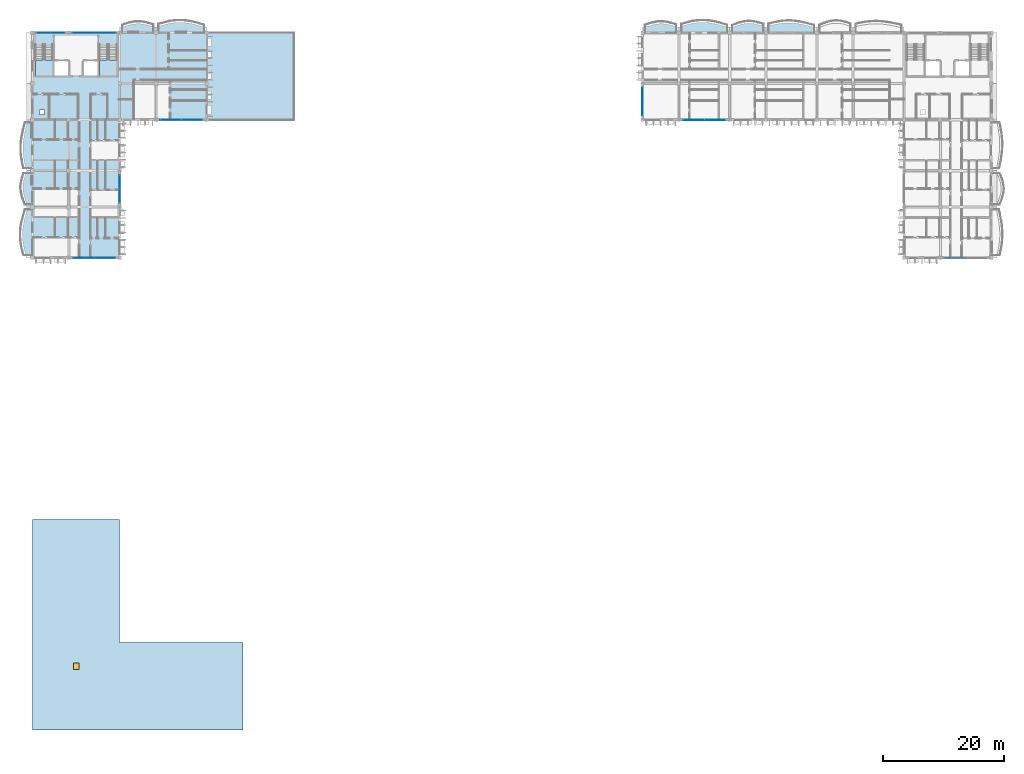
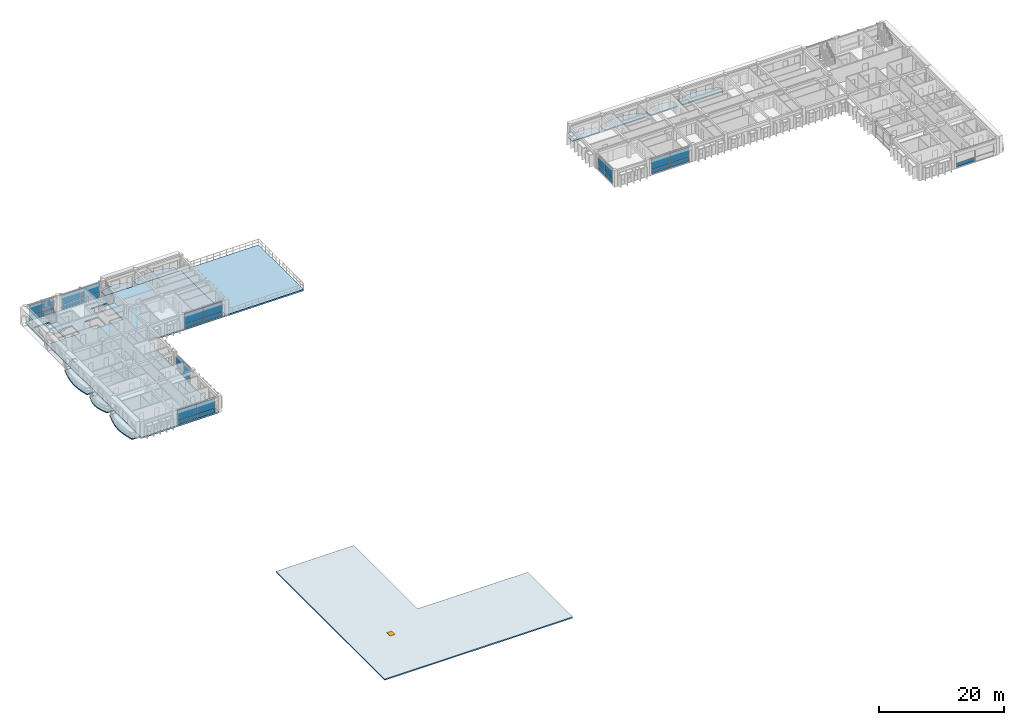
# One storey, part 8 of 31: 29 plates, 14 slabs, 1 door, 1 opening, 10 elements without a shape of their own.
"""IFC4 building model written with IfcOpenShell, lengths in metres."""

from ifc_helpers import new_model, si_unit, direction, frame, origin, origin_2d, place, context, subcontext, project, spatial, polyline, rectangle, outline, extrude, material, layer, layer_set, type_object, element, fill, aggregate, save


model = new_model("IFC4")

# Units and contexts
model_context = context("Model", 3, precision=1e-05, world=origin(), true_north=direction((0.0, 1.0)))
body_context = subcontext(model_context, "Body", "Model", "MODEL_VIEW")
ifc_project = project(units=[si_unit("LENGTHUNIT", "METRE"), si_unit("AREAUNIT", "SQUARE_METRE"), si_unit("VOLUMEUNIT", "CUBIC_METRE"), si_unit("PLANEANGLEUNIT", "RADIAN"), si_unit("MASSUNIT", "GRAM", prefix="KILO"), si_unit("THERMODYNAMICTEMPERATUREUNIT", "KELVIN")], contexts=[model_context])

# Site, building, storey
site_placement = place(None, origin())
site = spatial("IfcSite", under=ifc_project, at=site_placement, CompositionType="ELEMENT")
building_placement = place(site_placement, origin())
building = spatial("IfcBuilding", under=site, at=building_placement, Name="Thalorik Housing Commons", CompositionType="ELEMENT")
storey_placement = place(building_placement, frame((0.0, 0.0, 37.800048828125)))
storey = spatial("IfcBuildingStorey", under=building, at=storey_placement, Name="L11", CompositionType="ELEMENT", Elevation=37.800048828125)

# Curtain wall, plates
ifc_material_1 = material(Name="Anodised aluminium and solar-control low-E glass", Category="aluminium")
curtain_wall_type_1 = type_object("IfcCurtainWallType", Name="ARC-CW-LOUNGE", PredefinedType="USERDEFINED", material=ifc_material_1)
curtain_wall_1_placement = place(storey_placement, origin())
curtain_wall_1 = element("IfcCurtainWall", 1, at=curtain_wall_1_placement, inside=storey, type_object=curtain_wall_type_1, Name="L11 Curtain Wall CW-RES-L11-A-047", ObjectType="CURTAIN WALL", PredefinedType="USERDEFINED")
ifc_material_2 = material(Name="Cobalt blue enamelled aluminium spandrel panel", Category="aluminium")
ifc_layer_1 = layer(ifc_material_2, 0.0458984375, Name="Cobalt blue enamelled aluminium spandrel panel", Category="aluminium")
ifc_layer_set_1 = layer_set([ifc_layer_1], Name="Cobalt blue enamelled aluminium spandrel panel")
plate_type_1 = type_object("IfcPlateType", Name="ARC-CP-BLU-46", PredefinedType="CURTAIN_PANEL", material=ifc_layer_set_1)
plate_1_placement = place(storey_placement, frame((31.25, 109.199951171875, 0.080078125), z_axis=(0.0, 0.0, 1.0), x_axis=(1.0, 0.0, 0.0)))
plate_1 = element("IfcPlate", 2, at=plate_1_placement, type_object=plate_type_1, Name="CW-RES-L11-A-047 Spandrel Panel 1", PredefinedType="CURTAIN_PANEL", context=body_context, shape_type="SweptSolid", body=[
    extrude(rectangle(XDim=3.43994140625, YDim=0.0458984375, at=origin_2d()), origin(), (0.0, 0.0, 1.0), 0.760009765625),
])
plate_2_placement = place(storey_placement, frame((34.75, 109.199951171875, 0.080078125), z_axis=(0.0, 0.0, 1.0), x_axis=(1.0, 0.0, 0.0)))
plate_2 = element("IfcPlate", 3, at=plate_2_placement, type_object=plate_type_1, Name="CW-RES-L11-A-047 Spandrel Panel 2", PredefinedType="CURTAIN_PANEL", context=body_context, shape_type="SweptSolid", body=[
    extrude(rectangle(XDim=3.43994140625, YDim=0.0458984375, at=origin_2d()), origin(), (0.0, 0.0, 1.0), 0.760009765625),
])

curtain_wall_type_2 = type_object("IfcCurtainWallType", Name="ARC-CW-CORE", PredefinedType="USERDEFINED", material=ifc_material_1)
curtain_wall_2_placement = place(storey_placement, origin())
curtain_wall_2 = element("IfcCurtainWall", 4, at=curtain_wall_2_placement, inside=storey, type_object=curtain_wall_type_2, Name="L11 Curtain Wall CW-CORE-L11-A-049", ObjectType="CURTAIN WALL", PredefinedType="USERDEFINED")
plate_3_placement = place(storey_placement, frame((12.574951171875, 123.60009765625, 0.080078125), z_axis=(0.0, 0.0, 1.0), x_axis=(-1.0, 0.0, 0.0)))
plate_3 = element("IfcPlate", 5, at=plate_3_placement, type_object=plate_type_1, Name="CW-CORE-L11-A-049 Spandrel Panel 1", PredefinedType="CURTAIN_PANEL", context=body_context, shape_type="SweptSolid", body=[
    extrude(rectangle(XDim=2.2900390625, YDim=0.0458984375, at=origin_2d()), origin(), (0.0, 0.0, 1.0), 0.760009765625),
])
plate_4_placement = place(storey_placement, frame((10.22509765625, 123.60009765625, 0.080078125), z_axis=(0.0, 0.0, 1.0), x_axis=(-1.0, 0.0, 0.0)))
plate_4 = element("IfcPlate", 6, at=plate_4_placement, type_object=plate_type_1, Name="CW-CORE-L11-A-049 Spandrel Panel 2", PredefinedType="CURTAIN_PANEL", context=body_context, shape_type="SweptSolid", body=[
    extrude(rectangle(XDim=2.2900390625, YDim=0.0458984375, at=origin_2d()), origin(), (0.0, 0.0, 1.0), 0.760009765625),
])

curtain_wall_3_placement = place(storey_placement, origin())
curtain_wall_3 = element("IfcCurtainWall", 7, at=curtain_wall_3_placement, inside=storey, type_object=curtain_wall_type_1, Name="L11 Curtain Wall CW-RES-L11-A-052", ObjectType="CURTAIN WALL", PredefinedType="USERDEFINED")
plate_5_placement = place(storey_placement, frame((22.800048828125, 96.64990234375, 0.080078125), z_axis=(0.0, 0.0, 1.0), x_axis=(0.0, 1.0, 0.0)))
plate_5 = element("IfcPlate", 8, at=plate_5_placement, type_object=plate_type_1, Name="CW-RES-L11-A-052 Spandrel Panel 1", PredefinedType="CURTAIN_PANEL", context=body_context, shape_type="SweptSolid", body=[
    extrude(rectangle(XDim=2.239990234375, YDim=0.0458984375, at=origin_2d()), origin(), (0.0, 0.0, 1.0), 0.760009765625),
])
plate_6_placement = place(storey_placement, frame((22.800048828125, 98.949951171875, 0.080078125), z_axis=(0.0, 0.0, 1.0), x_axis=(0.0, 1.0, 0.0)))
plate_6 = element("IfcPlate", 9, at=plate_6_placement, type_object=plate_type_1, Name="CW-RES-L11-A-052 Spandrel Panel 2", PredefinedType="CURTAIN_PANEL", context=body_context, shape_type="SweptSolid", body=[
    extrude(rectangle(XDim=2.239990234375, YDim=0.0458984375, at=origin_2d()), origin(), (0.0, 0.0, 1.0), 0.760009765625),
])

# Plate
ifc_material_3 = material(Name="Double solar-control low-E glass", Category="glass")
ifc_layer_2 = layer(ifc_material_3, 0.028076171875, Name="Double solar-control low-E glass", Category="glass")
ifc_layer_set_2 = layer_set([ifc_layer_2], Name="Double solar-control low-E glass")
plate_type_2 = type_object("IfcPlateType", Name="ARC-CP-GLZ-28", PredefinedType="CURTAIN_PANEL", material=ifc_layer_set_2)
plate_7_placement = place(storey_placement, frame((31.25, 109.199951171875, 0.919921875), z_axis=(0.0, 0.0, 1.0), x_axis=(1.0, 0.0, 0.0)))
plate_7 = element("IfcPlate", 10, at=plate_7_placement, type_object=plate_type_2, Name="CW-RES-L11-A-047 Vision Panel 1", PredefinedType="CURTAIN_PANEL", context=body_context, shape_type="SweptSolid", body=[
    extrude(rectangle(XDim=3.43994140625, YDim=0.028076171875, at=origin_2d()), origin(), (0.0, 0.0, 1.0), 2.0400390625),
])

plate_8_placement = place(storey_placement, frame((34.75, 109.199951171875, 0.919921875), z_axis=(0.0, 0.0, 1.0), x_axis=(1.0, 0.0, 0.0)))
plate_8 = element("IfcPlate", 11, at=plate_8_placement, type_object=plate_type_2, Name="CW-RES-L11-A-047 Vision Panel 2", PredefinedType="CURTAIN_PANEL", context=body_context, shape_type="SweptSolid", body=[
    extrude(rectangle(XDim=3.43994140625, YDim=0.028076171875, at=origin_2d()), origin(), (0.0, 0.0, 1.0), 2.0400390625),
])

aggregate(curtain_wall_1, [plate_1, plate_7, plate_2, plate_8])

# Curtain wall, plates
curtain_wall_4_placement = place(storey_placement, origin())
curtain_wall_4 = element("IfcCurtainWall", 12, at=curtain_wall_4_placement, inside=storey, type_object=curtain_wall_type_2, Name="L11 Curtain Wall CW-CORE-L11-A-048", ObjectType="CURTAIN WALL", PredefinedType="USERDEFINED")
plate_9_placement = place(storey_placement, frame((20.375, 123.60009765625, 0.919921875), z_axis=(0.0, 0.0, 1.0), x_axis=(-1.0, 0.0, 0.0)))
plate_9 = element("IfcPlate", 13, at=plate_9_placement, type_object=plate_type_2, Name="CW-CORE-L11-A-048 Vision Panel 1", PredefinedType="CURTAIN_PANEL", context=body_context, shape_type="SweptSolid", body=[
    extrude(rectangle(XDim=3.489990234375, YDim=0.028076171875, at=origin_2d()), origin(), (0.0, 0.0, 1.0), 2.0400390625),
])
plate_10_placement = place(storey_placement, frame((16.824951171875, 123.60009765625, 0.919921875), z_axis=(0.0, 0.0, 1.0), x_axis=(-1.0, 0.0, 0.0)))
plate_10 = element("IfcPlate", 14, at=plate_10_placement, type_object=plate_type_2, Name="CW-CORE-L11-A-048 Vision Panel 2", PredefinedType="CURTAIN_PANEL", context=body_context, shape_type="SweptSolid", body=[
    extrude(rectangle(XDim=3.489990234375, YDim=0.028076171875, at=origin_2d()), origin(), (0.0, 0.0, 1.0), 2.0400390625),
])

# Plate
plate_11_placement = place(storey_placement, frame((12.574951171875, 123.60009765625, 0.919921875), z_axis=(0.0, 0.0, 1.0), x_axis=(-1.0, 0.0, 0.0)))
plate_11 = element("IfcPlate", 15, at=plate_11_placement, type_object=plate_type_2, Name="CW-CORE-L11-A-049 Vision Panel 1", PredefinedType="CURTAIN_PANEL", context=body_context, shape_type="SweptSolid", body=[
    extrude(rectangle(XDim=2.2900390625, YDim=0.028076171875, at=origin_2d()), origin(), (0.0, 0.0, 1.0), 2.0400390625),
])

plate_12_placement = place(storey_placement, frame((10.22509765625, 123.60009765625, 0.919921875), z_axis=(0.0, 0.0, 1.0), x_axis=(-1.0, 0.0, 0.0)))
plate_12 = element("IfcPlate", 16, at=plate_12_placement, type_object=plate_type_2, Name="CW-CORE-L11-A-049 Vision Panel 2", PredefinedType="CURTAIN_PANEL", context=body_context, shape_type="SweptSolid", body=[
    extrude(rectangle(XDim=2.2900390625, YDim=0.028076171875, at=origin_2d()), origin(), (0.0, 0.0, 1.0), 2.0400390625),
])

aggregate(curtain_wall_2, [plate_3, plate_11, plate_4, plate_12])

# Curtain wall, plates
curtain_wall_5_placement = place(storey_placement, origin())
curtain_wall_5 = element("IfcCurtainWall", 17, at=curtain_wall_5_placement, inside=storey, type_object=curtain_wall_type_1, Name="L11 Curtain Wall CW-RES-L11-A-051", ObjectType="CURTAIN WALL", PredefinedType="USERDEFINED")
plate_13_placement = place(storey_placement, frame((16.85009765625, 86.39990234375, 0.919921875), z_axis=(0.0, 0.0, 1.0), x_axis=(1.0, 0.0, 0.0)))
plate_13 = element("IfcPlate", 18, at=plate_13_placement, type_object=plate_type_2, Name="CW-RES-L11-A-051 Vision Panel 1", PredefinedType="CURTAIN_PANEL", context=body_context, shape_type="SweptSolid", body=[
    extrude(rectangle(XDim=3.43994140625, YDim=0.028076171875, at=origin_2d()), origin(), (0.0, 0.0, 1.0), 2.0400390625),
])
plate_14_placement = place(storey_placement, frame((20.35009765625, 86.39990234375, 0.919921875), z_axis=(0.0, 0.0, 1.0), x_axis=(1.0, 0.0, 0.0)))
plate_14 = element("IfcPlate", 19, at=plate_14_placement, type_object=plate_type_2, Name="CW-RES-L11-A-051 Vision Panel 2", PredefinedType="CURTAIN_PANEL", context=body_context, shape_type="SweptSolid", body=[
    extrude(rectangle(XDim=3.43994140625, YDim=0.028076171875, at=origin_2d()), origin(), (0.0, 0.0, 1.0), 2.0400390625),
])

# Plate
plate_15_placement = place(storey_placement, frame((22.800048828125, 96.64990234375, 0.919921875), z_axis=(0.0, 0.0, 1.0), x_axis=(0.0, 1.0, 0.0)))
plate_15 = element("IfcPlate", 20, at=plate_15_placement, type_object=plate_type_2, Name="CW-RES-L11-A-052 Vision Panel 1", PredefinedType="CURTAIN_PANEL", context=body_context, shape_type="SweptSolid", body=[
    extrude(rectangle(XDim=2.239990234375, YDim=0.028076171875, at=origin_2d()), origin(), (0.0, 0.0, 1.0), 2.0400390625),
])

plate_16_placement = place(storey_placement, frame((22.800048828125, 98.949951171875, 0.919921875), z_axis=(0.0, 0.0, 1.0), x_axis=(0.0, 1.0, 0.0)))
plate_16 = element("IfcPlate", 21, at=plate_16_placement, type_object=plate_type_2, Name="CW-RES-L11-A-052 Vision Panel 2", PredefinedType="CURTAIN_PANEL", context=body_context, shape_type="SweptSolid", body=[
    extrude(rectangle(XDim=2.239990234375, YDim=0.028076171875, at=origin_2d()), origin(), (0.0, 0.0, 1.0), 2.0400390625),
])

aggregate(curtain_wall_3, [plate_5, plate_15, plate_6, plate_16])

# Curtain wall, plates
curtain_wall_6_placement = place(storey_placement, origin())
curtain_wall_6 = element("IfcCurtainWall", 22, at=curtain_wall_6_placement, inside=storey, type_object=curtain_wall_type_1, Name="L11 Curtain Wall CW-RES-L11-B-120", ObjectType="CURTAIN WALL", PredefinedType="USERDEFINED")
plate_17_placement = place(storey_placement, frame((109.199951171875, 113.35009765625, 0.919921875), z_axis=(0.0, 0.0, 1.0), x_axis=(0.0, -1.0, 0.0)))
plate_17 = element("IfcPlate", 23, at=plate_17_placement, type_object=plate_type_2, Name="CW-RES-L11-B-120 Vision Panel 1", PredefinedType="CURTAIN_PANEL", context=body_context, shape_type="SweptSolid", body=[
    extrude(rectangle(XDim=2.239990234375, YDim=0.028076171875, at=origin_2d()), origin(), (0.0, 0.0, 1.0), 2.0400390625),
])
plate_18_placement = place(storey_placement, frame((109.199951171875, 111.050048828125, 0.919921875), z_axis=(0.0, 0.0, 1.0), x_axis=(0.0, -1.0, 0.0)))
plate_18 = element("IfcPlate", 24, at=plate_18_placement, type_object=plate_type_2, Name="CW-RES-L11-B-120 Vision Panel 2", PredefinedType="CURTAIN_PANEL", context=body_context, shape_type="SweptSolid", body=[
    extrude(rectangle(XDim=2.239990234375, YDim=0.028076171875, at=origin_2d()), origin(), (0.0, 0.0, 1.0), 2.0400390625),
])

curtain_wall_7_placement = place(storey_placement, origin())
curtain_wall_7 = element("IfcCurtainWall", 25, at=curtain_wall_7_placement, inside=storey, type_object=curtain_wall_type_1, Name="L11 Curtain Wall CW-RES-L11-B-121", ObjectType="CURTAIN WALL", PredefinedType="USERDEFINED")
plate_19_placement = place(storey_placement, frame((117.64990234375, 109.199951171875, 0.919921875), z_axis=(0.0, 0.0, 1.0), x_axis=(1.0, 0.0, 0.0)))
plate_19 = element("IfcPlate", 26, at=plate_19_placement, type_object=plate_type_2, Name="CW-RES-L11-B-121 Vision Panel 1", PredefinedType="CURTAIN_PANEL", context=body_context, shape_type="SweptSolid", body=[
    extrude(rectangle(XDim=3.43994140625, YDim=0.028076171875, at=origin_2d()), origin(), (0.0, 0.0, 1.0), 2.0400390625),
])
plate_20_placement = place(storey_placement, frame((121.14990234375, 109.199951171875, 0.919921875), z_axis=(0.0, 0.0, 1.0), x_axis=(1.0, 0.0, 0.0)))
plate_20 = element("IfcPlate", 27, at=plate_20_placement, type_object=plate_type_2, Name="CW-RES-L11-B-121 Vision Panel 2", PredefinedType="CURTAIN_PANEL", context=body_context, shape_type="SweptSolid", body=[
    extrude(rectangle(XDim=3.43994140625, YDim=0.028076171875, at=origin_2d()), origin(), (0.0, 0.0, 1.0), 2.0400390625),
])

# Plate
ifc_material_4 = material(Name="Oxide red enamelled aluminium spandrel panel", Category="aluminium")
ifc_layer_3 = layer(ifc_material_4, 0.0419921875, Name="Oxide red enamelled aluminium spandrel panel", Category="aluminium")
ifc_layer_set_3 = layer_set([ifc_layer_3], Name="Oxide red enamelled aluminium spandrel panel")
plate_type_3 = type_object("IfcPlateType", Name="ARC-CP-RED-42", PredefinedType="CURTAIN_PANEL", material=ifc_layer_set_3)
plate_21_placement = place(storey_placement, frame((20.375, 123.60009765625, 0.080078125), z_axis=(0.0, 0.0, 1.0), x_axis=(-1.0, 0.0, 0.0)))
plate_21 = element("IfcPlate", 28, at=plate_21_placement, type_object=plate_type_3, Name="CW-CORE-L11-A-048 Spandrel Panel 1", PredefinedType="CURTAIN_PANEL", context=body_context, shape_type="SweptSolid", body=[
    extrude(rectangle(XDim=3.489990234375, YDim=0.0419921875, at=origin_2d()), origin(), (0.0, 0.0, 1.0), 0.760009765625),
])

plate_22_placement = place(storey_placement, frame((16.824951171875, 123.60009765625, 0.080078125), z_axis=(0.0, 0.0, 1.0), x_axis=(-1.0, 0.0, 0.0)))
plate_22 = element("IfcPlate", 29, at=plate_22_placement, type_object=plate_type_3, Name="CW-CORE-L11-A-048 Spandrel Panel 2", PredefinedType="CURTAIN_PANEL", context=body_context, shape_type="SweptSolid", body=[
    extrude(rectangle(XDim=3.489990234375, YDim=0.0419921875, at=origin_2d()), origin(), (0.0, 0.0, 1.0), 0.760009765625),
])

aggregate(curtain_wall_4, [plate_21, plate_9, plate_22, plate_10])

plate_23_placement = place(storey_placement, frame((109.199951171875, 113.35009765625, 0.080078125), z_axis=(0.0, 0.0, 1.0), x_axis=(0.0, -1.0, 0.0)))
plate_23 = element("IfcPlate", 30, at=plate_23_placement, type_object=plate_type_3, Name="CW-RES-L11-B-120 Spandrel Panel 1", PredefinedType="CURTAIN_PANEL", context=body_context, shape_type="SweptSolid", body=[
    extrude(rectangle(XDim=2.239990234375, YDim=0.0419921875, at=origin_2d()), origin(), (0.0, 0.0, 1.0), 0.760009765625),
])

plate_24_placement = place(storey_placement, frame((109.199951171875, 111.050048828125, 0.080078125), z_axis=(0.0, 0.0, 1.0), x_axis=(0.0, -1.0, 0.0)))
plate_24 = element("IfcPlate", 31, at=plate_24_placement, type_object=plate_type_3, Name="CW-RES-L11-B-120 Spandrel Panel 2", PredefinedType="CURTAIN_PANEL", context=body_context, shape_type="SweptSolid", body=[
    extrude(rectangle(XDim=2.239990234375, YDim=0.0419921875, at=origin_2d()), origin(), (0.0, 0.0, 1.0), 0.760009765625),
])

aggregate(curtain_wall_6, [plate_23, plate_17, plate_24, plate_18])

ifc_material_5 = material(Name="Mineral ochre yellow aluminium spandrel panel", Category="aluminium")
ifc_layer_4 = layer(ifc_material_5, 0.050048828125, Name="Mineral ochre yellow aluminium spandrel panel", Category="aluminium")
ifc_layer_set_4 = layer_set([ifc_layer_4], Name="Mineral ochre yellow aluminium spandrel panel")
plate_type_4 = type_object("IfcPlateType", Name="ARC-CP-YEL-50", PredefinedType="CURTAIN_PANEL", material=ifc_layer_set_4)
plate_25_placement = place(storey_placement, frame((16.85009765625, 86.39990234375, 0.080078125), z_axis=(0.0, 0.0, 1.0), x_axis=(1.0, 0.0, 0.0)))
plate_25 = element("IfcPlate", 32, at=plate_25_placement, type_object=plate_type_4, Name="CW-RES-L11-A-051 Spandrel Panel 1", PredefinedType="CURTAIN_PANEL", context=body_context, shape_type="SweptSolid", body=[
    extrude(rectangle(XDim=3.43994140625, YDim=0.050048828125, at=origin_2d()), origin(), (0.0, 0.0, 1.0), 0.760009765625),
])

plate_26_placement = place(storey_placement, frame((20.35009765625, 86.39990234375, 0.080078125), z_axis=(0.0, 0.0, 1.0), x_axis=(1.0, 0.0, 0.0)))
plate_26 = element("IfcPlate", 33, at=plate_26_placement, type_object=plate_type_4, Name="CW-RES-L11-A-051 Spandrel Panel 2", PredefinedType="CURTAIN_PANEL", context=body_context, shape_type="SweptSolid", body=[
    extrude(rectangle(XDim=3.43994140625, YDim=0.050048828125, at=origin_2d()), origin(), (0.0, 0.0, 1.0), 0.760009765625),
])

aggregate(curtain_wall_5, [plate_25, plate_13, plate_26, plate_14])

plate_27_placement = place(storey_placement, frame((117.64990234375, 109.199951171875, 0.080078125), z_axis=(0.0, 0.0, 1.0), x_axis=(1.0, 0.0, 0.0)))
plate_27 = element("IfcPlate", 34, at=plate_27_placement, type_object=plate_type_4, Name="CW-RES-L11-B-121 Spandrel Panel 1", PredefinedType="CURTAIN_PANEL", context=body_context, shape_type="SweptSolid", body=[
    extrude(rectangle(XDim=3.43994140625, YDim=0.050048828125, at=origin_2d()), origin(), (0.0, 0.0, 1.0), 0.760009765625),
])

plate_28_placement = place(storey_placement, frame((121.14990234375, 109.199951171875, 0.080078125), z_axis=(0.0, 0.0, 1.0), x_axis=(1.0, 0.0, 0.0)))
plate_28 = element("IfcPlate", 35, at=plate_28_placement, type_object=plate_type_4, Name="CW-RES-L11-B-121 Spandrel Panel 2", PredefinedType="CURTAIN_PANEL", context=body_context, shape_type="SweptSolid", body=[
    extrude(rectangle(XDim=3.43994140625, YDim=0.050048828125, at=origin_2d()), origin(), (0.0, 0.0, 1.0), 0.760009765625),
])

aggregate(curtain_wall_7, [plate_27, plate_19, plate_28, plate_20])

# Curtain wall, plate
curtain_wall_8_placement = place(storey_placement, origin())
curtain_wall_8 = element("IfcCurtainWall", 36, at=curtain_wall_8_placement, inside=storey, type_object=curtain_wall_type_1, Name="L11 Curtain Wall CW-RES-L11-B-123", ObjectType="CURTAIN WALL", PredefinedType="USERDEFINED")
plate_29_placement = place(storey_placement, frame((160.85009765625, 86.39990234375, 0.080078125), z_axis=(0.0, 0.0, 1.0), x_axis=(1.0, 0.0, 0.0)))
plate_29 = element("IfcPlate", 37, at=plate_29_placement, type_object=plate_type_4, Name="CW-RES-L11-B-123 Spandrel Panel 1", PredefinedType="CURTAIN_PANEL", context=body_context, shape_type="SweptSolid", body=[
    extrude(rectangle(XDim=3.43994140625, YDim=0.050048828125, at=origin_2d()), origin(), (0.0, 0.0, 1.0), 0.760009765625),
])
aggregate(curtain_wall_8, [plate_29])

# Stair, slab
ifc_material_6 = material(Name="Precast concrete C40/50", Category="concrete")
stair_type = type_object("IfcStairType", Name="ARC-STR-1350-R20", PredefinedType="HALF_TURN_STAIR", material=ifc_material_6)
stair_1_placement = place(storey_placement, origin())
stair_1 = element("IfcStair", 38, at=stair_1_placement, inside=storey, type_object=stair_type, Name="L11 Block A Smoke-Proof Stair 1", PredefinedType="HALF_TURN_STAIR")
ifc_layer_5 = layer(ifc_material_6, 0.199951171875, Name="Precast concrete C40/50", Category="concrete")
ifc_layer_set_5 = layer_set([ifc_layer_5], Name="Precast concrete C40/50")
slab_type_1 = type_object("IfcSlabType", Name="ARC-SLB-STLND-200", PredefinedType="LANDING", material=ifc_layer_set_5)
slab_1_placement = place(storey_placement, frame((0.0, 0.0, 1.449951171875)))
slab_1 = element("IfcSlab", 39, at=slab_1_placement, type_object=slab_type_1, Name="ST-A1 landing 1", PredefinedType="LANDING", context=body_context, shape_type="SweptSolid", body=[
    extrude(outline(polyline([(8.85009765625, 119.090087890625), (8.85009765625, 116.449951171875), (11.75, 116.449951171875), (11.75, 119.090087890625), (8.85009765625, 119.090087890625)])), origin(), (0.0, 0.0, 1.0), 0.199951171875),
])
aggregate(stair_1, [slab_1])

stair_2_placement = place(storey_placement, origin())
stair_2 = element("IfcStair", 40, at=stair_2_placement, inside=storey, type_object=stair_type, Name="L11 Block A Smoke-Proof Stair 2", PredefinedType="HALF_TURN_STAIR")
slab_2_placement = place(storey_placement, frame((0.0, 0.0, 1.449951171875)))
slab_2 = element("IfcSlab", 41, at=slab_2_placement, type_object=slab_type_1, Name="ST-A2 landing 1", PredefinedType="LANDING", context=body_context, shape_type="SweptSolid", body=[
    extrude(outline(polyline([(19.449951171875, 119.090087890625), (19.449951171875, 116.449951171875), (22.35009765625, 116.449951171875), (22.35009765625, 119.090087890625), (19.449951171875, 119.090087890625)])), origin(), (0.0, 0.0, 1.0), 0.199951171875),
])
aggregate(stair_2, [slab_2])

# Slabs
ifc_layer_6 = layer(ifc_material_6, 0.199951171875, Name="Precast concrete C40/50", Category="concrete")
ifc_layer_set_6 = layer_set([ifc_layer_6], Name="Precast concrete C40/50")
slab_type_2 = type_object("IfcSlabType", Name="STR-SLB-BALC-200", PredefinedType="FLOOR", material=ifc_layer_set_6)
slab_3_placement = place(storey_placement, frame((0.0, 0.0, -0.199951171875)))
element("IfcSlab", 42, at=slab_3_placement, inside=storey, type_object=slab_type_2, Name="L11 Block A Cushion Balcony 76", PredefinedType="FLOOR", context=body_context, shape_type="SweptSolid", body=[
    extrude(outline(polyline([(23.219970703125, 123.60009765625), (28.3798828125, 123.60009765625), (28.3798828125, 124.947265625), (27.949951171875, 125.084228515625), (27.52001953125, 125.2119140625), (27.090087890625, 125.321044921875), (26.659912109375, 125.4033203125), (26.22998046875, 125.452880859375), (25.800048828125, 125.466064453125), (25.3701171875, 125.44140625), (24.93994140625, 125.380859375), (24.510009765625, 125.2880859375), (24.080078125, 125.169921875), (23.64990234375, 125.03466796875), (23.219970703125, 124.8916015625), (23.219970703125, 123.60009765625)])), origin(), (0.0, 0.0, 1.0), 0.199951171875),
])
slab_4_placement = place(storey_placement, frame((0.0, 0.0, -0.199951171875)))
element("IfcSlab", 43, at=slab_4_placement, inside=storey, type_object=slab_type_2, Name="L11 Block A Cushion Balcony 79", PredefinedType="FLOOR", context=body_context, shape_type="SweptSolid", body=[
    extrude(outline(polyline([(8.39990234375, 95.219970703125), (8.39990234375, 100.3798828125), (6.93115234375, 100.3798828125), (6.78662109375, 99.949951171875), (6.656005859375, 99.52001953125), (6.54833984375, 99.090087890625), (6.47216796875, 98.659912109375), (6.43310546875, 98.22998046875), (6.4345703125, 97.800048828125), (6.47705078125, 97.3701171875), (6.55859375, 96.93994140625), (6.67431640625, 96.510009765625), (6.81689453125, 96.080078125), (6.976806640625, 95.64990234375), (7.144287109375, 95.219970703125), (8.39990234375, 95.219970703125)])), origin(), (0.0, 0.0, 1.0), 0.199951171875),
])
slab_5_placement = place(storey_placement, frame((0.0, 0.0, -0.199951171875)))
element("IfcSlab", 44, at=slab_5_placement, inside=storey, type_object=slab_type_2, Name="L11 Block B Cushion Balcony 233", PredefinedType="FLOOR", context=body_context, shape_type="SweptSolid", body=[
    extrude(outline(polyline([(109.6201171875, 123.60009765625), (114.780029296875, 123.60009765625), (114.780029296875, 124.947265625), (114.35009765625, 125.084228515625), (113.919921875, 125.2119140625), (113.489990234375, 125.321044921875), (113.06005859375, 125.4033203125), (112.6298828125, 125.452880859375), (112.199951171875, 125.466064453125), (111.77001953125, 125.44140625), (111.340087890625, 125.380859375), (110.909912109375, 125.2880859375), (110.47998046875, 125.169921875), (110.050048828125, 125.03466796875), (109.6201171875, 124.8916015625), (109.6201171875, 123.60009765625)])), origin(), (0.0, 0.0, 1.0), 0.199951171875),
])
slab_6_placement = place(storey_placement, frame((0.0, 0.0, -0.199951171875)))
element("IfcSlab", 45, at=slab_6_placement, inside=storey, type_object=slab_type_2, Name="L11 Block B Cushion Balcony 235", PredefinedType="FLOOR", context=body_context, shape_type="SweptSolid", body=[
    extrude(outline(polyline([(124.02001953125, 123.60009765625), (129.179931640625, 123.60009765625), (129.179931640625, 125.036376953125), (128.75, 125.17529296875), (128.320068359375, 125.3017578125), (127.889892578125, 125.406494140625), (127.4599609375, 125.4814453125), (127.030029296875, 125.52099609375), (126.60009765625, 125.521484375), (126.169921875, 125.482421875), (125.739990234375, 125.406005859375), (125.31005859375, 125.29638671875), (124.8798828125, 125.1611328125), (124.449951171875, 125.009033203125), (124.02001953125, 124.850341796875), (124.02001953125, 123.60009765625)])), origin(), (0.0, 0.0, 1.0), 0.199951171875),
])
ifc_layer_7 = layer(ifc_material_6, 0.219970703125, Name="Precast concrete C40/50", Category="concrete")
ifc_layer_set_7 = layer_set([ifc_layer_7], Name="Precast concrete C40/50")
slab_type_3 = type_object("IfcSlabType", Name="STR-SLB-BALC-220", PredefinedType="FLOOR", material=ifc_layer_set_7)
slab_7_placement = place(storey_placement, frame((0.0, 0.0, -0.219970703125)))
element("IfcSlab", 46, at=slab_7_placement, inside=storey, type_object=slab_type_3, Name="L11 Block A Cushion Balcony 77", PredefinedType="FLOOR", context=body_context, shape_type="SweptSolid", body=[
    extrude(outline(polyline([(29.219970703125, 123.60009765625), (36.780029296875, 123.60009765625), (36.780029296875, 124.889404296875), (36.14990234375, 125.07470703125), (35.52001953125, 125.25341796875), (34.889892578125, 125.41259765625), (34.260009765625, 125.541748046875), (33.6298828125, 125.63134765625), (33.0, 125.67529296875), (32.3701171875, 125.670654296875), (31.739990234375, 125.617431640625), (31.110107421875, 125.51904296875), (30.47998046875, 125.38232421875), (29.85009765625, 125.216796875), (29.219970703125, 125.03369140625), (29.219970703125, 123.60009765625)])), origin(), (0.0, 0.0, 1.0), 0.219970703125),
])
slab_8_placement = place(storey_placement, frame((0.0, 0.0, -0.219970703125)))
element("IfcSlab", 47, at=slab_8_placement, inside=storey, type_object=slab_type_3, Name="L11 Block A Cushion Balcony 78", PredefinedType="FLOOR", context=body_context, shape_type="SweptSolid", body=[
    extrude(outline(polyline([(8.39990234375, 86.820068359375), (8.39990234375, 94.3798828125), (7.138427734375, 94.3798828125), (6.962158203125, 93.75), (6.789794921875, 93.1201171875), (6.633544921875, 92.489990234375), (6.504150390625, 91.860107421875), (6.41064453125, 91.22998046875), (6.359619140625, 90.60009765625), (6.3544921875, 89.969970703125), (6.396484375, 89.340087890625), (6.482177734375, 88.7099609375), (6.606201171875, 88.080078125), (6.760009765625, 87.449951171875), (6.932861328125, 86.820068359375), (8.39990234375, 86.820068359375)])), origin(), (0.0, 0.0, 1.0), 0.219970703125),
])
slab_9_placement = place(storey_placement, frame((0.0, 0.0, -0.219970703125)))
element("IfcSlab", 48, at=slab_9_placement, inside=storey, type_object=slab_type_3, Name="L11 Block A Cushion Balcony 80", PredefinedType="FLOOR", context=body_context, shape_type="SweptSolid", body=[
    extrude(outline(polyline([(8.39990234375, 101.219970703125), (8.39990234375, 108.780029296875), (7.143310546875, 108.780029296875), (6.9912109375, 108.14990234375), (6.84130859375, 107.52001953125), (6.70361328125, 106.889892578125), (6.58740234375, 106.260009765625), (6.500732421875, 105.6298828125), (6.44970703125, 105.0), (6.438232421875, 104.3701171875), (6.46728515625, 103.739990234375), (6.534912109375, 103.110107421875), (6.63671875, 102.47998046875), (6.765869140625, 101.85009765625), (6.9140625, 101.219970703125), (8.39990234375, 101.219970703125)])), origin(), (0.0, 0.0, 1.0), 0.219970703125),
])
slab_10_placement = place(storey_placement, frame((0.0, 0.0, -0.219970703125)))
element("IfcSlab", 49, at=slab_10_placement, inside=storey, type_object=slab_type_3, Name="L11 Block B Cushion Balcony 234", PredefinedType="FLOOR", context=body_context, shape_type="SweptSolid", body=[
    extrude(outline(polyline([(115.6201171875, 123.60009765625), (123.179931640625, 123.60009765625), (123.179931640625, 124.889404296875), (122.550048828125, 125.07470703125), (121.919921875, 125.25341796875), (121.2900390625, 125.41259765625), (120.659912109375, 125.541748046875), (120.030029296875, 125.63134765625), (119.39990234375, 125.67529296875), (118.77001953125, 125.670654296875), (118.139892578125, 125.617431640625), (117.510009765625, 125.51904296875), (116.8798828125, 125.38232421875), (116.25, 125.216796875), (115.6201171875, 125.03369140625), (115.6201171875, 123.60009765625)])), origin(), (0.0, 0.0, 1.0), 0.219970703125),
])
slab_11_placement = place(storey_placement, frame((0.0, 0.0, -0.219970703125)))
element("IfcSlab", 50, at=slab_11_placement, inside=storey, type_object=slab_type_3, Name="L11 Block B Cushion Balcony 236", PredefinedType="FLOOR", context=body_context, shape_type="SweptSolid", body=[
    extrude(outline(polyline([(130.02001953125, 123.60009765625), (137.580078125, 123.60009765625), (137.580078125, 124.85009765625), (136.949951171875, 125.0146484375), (136.320068359375, 125.177001953125), (135.68994140625, 125.32568359375), (135.06005859375, 125.45068359375), (134.429931640625, 125.543212890625), (133.800048828125, 125.596435546875), (133.169921875, 125.607177734375), (132.5400390625, 125.573974609375), (131.909912109375, 125.498779296875), (131.280029296875, 125.38720703125), (130.64990234375, 125.24609375), (130.02001953125, 125.08544921875), (130.02001953125, 123.60009765625)])), origin(), (0.0, 0.0, 1.0), 0.219970703125),
])
ifc_material_7 = material(Name="Precast concrete C45/55", Category="concrete")
ifc_layer_8 = layer(ifc_material_7, 0.260009765625, Name="Precast concrete C45/55", Category="concrete")
ifc_layer_set_8 = layer_set([ifc_layer_8], Name="Precast concrete C45/55")
slab_type_4 = type_object("IfcSlabType", Name="STR-SLB-HC-260", PredefinedType="FLOOR", material=ifc_layer_set_8)
slab_12_placement = place(storey_placement, frame((0.0, 0.0, -0.260009765625)))
element("IfcSlab", 51, at=slab_12_placement, inside=storey, type_object=slab_type_4, Name="L11 Residential Block A Floor Slab", PredefinedType="FLOOR", context=body_context, shape_type="SweptSolid", body=[
    extrude(outline(polyline([(8.39990234375, 123.60009765625), (8.39990234375, 109.199951171875), (8.39990234375, 86.39990234375), (22.800048828125, 86.39990234375), (22.800048828125, 109.199951171875), (37.199951171875, 109.199951171875), (37.199951171875, 123.60009765625), (8.39990234375, 123.60009765625)]), holes=[polyline([(8.85009765625, 121.64990234375), (11.75, 121.64990234375), (11.75, 116.449951171875), (8.85009765625, 116.449951171875), (8.85009765625, 121.64990234375)]), polyline([(22.35009765625, 121.64990234375), (22.35009765625, 116.449951171875), (19.449951171875, 116.449951171875), (19.449951171875, 121.64990234375), (22.35009765625, 121.64990234375)]), polyline([(14.39990234375, 119.0), (14.39990234375, 116.449951171875), (12.0, 116.449951171875), (12.0, 119.0), (14.39990234375, 119.0)]), polyline([(19.199951171875, 116.449951171875), (16.800048828125, 116.449951171875), (16.800048828125, 119.0), (19.199951171875, 119.0), (19.199951171875, 116.449951171875)]), polyline([(9.550048828125, 110.050048828125), (9.550048828125, 110.85009765625), (10.35009765625, 110.85009765625), (10.35009765625, 110.050048828125), (9.550048828125, 110.050048828125)])]), origin(), (0.0, 0.0, 1.0), 0.260009765625),
])

# Slab, opening, door
ifc_layer_9 = layer(ifc_material_7, 0.239990234375, Name="Precast concrete C45/55", Category="concrete")
ifc_layer_set_9 = layer_set([ifc_layer_9], Name="Precast concrete C45/55")
slab_type_5 = type_object("IfcSlabType", Name="STR-SLB-ROOF-240", PredefinedType="ROOF", material=ifc_layer_set_9)
slab_13_placement = place(storey_placement, frame((0.0, 0.0, -0.239990234375)))
slab_13 = element("IfcSlab", 52, at=slab_13_placement, inside=storey, type_object=slab_type_5, Name="L11 Block C Main Roof Slab", PredefinedType="ROOF", context=body_context, shape_type="SweptSolid", body=[
    extrude(outline(polyline([(22.800048828125, 22.800048828125), (22.800048828125, 43.199951171875), (8.39990234375, 43.199951171875), (8.39990234375, 8.39990234375), (22.800048828125, 8.39990234375), (43.199951171875, 8.39990234375), (43.199951171875, 22.800048828125), (22.800048828125, 22.800048828125)])), origin(), (0.0, 0.0, 1.0), 0.239990234375),
])
opening_placement = place(slab_13_placement, frame((15.60009765625, 18.89990234375, -0.010009765625)))
opening = element("IfcOpeningElement", 53, at=opening_placement, cuts=slab_13, Name="Opening RH-C1", PredefinedType="OPENING", context=body_context, shape_type="SweptSolid", body=[
    extrude(rectangle(XDim=0.89990234375, YDim=1.10009765625, at=origin_2d()), origin(), (0.0, 0.0, 1.0), 0.31005859375),
])
ifc_material_8 = material(Name="Anodised aluminium and laminated safety glass", Category="aluminium")
door_type = type_object("IfcDoorType", Name="ARC-HT-ROOF-900", OperationType="NOTDEFINED", PredefinedType="TRAPDOOR", material=ifc_material_8)
door_placement = place(opening_placement, frame((0.0, 0.0, 0.25)))
door = element("IfcDoor", 54, at=door_placement, inside=storey, type_object=door_type, Name="L11 Block C Maintenance Roof Hatch", OperationType="SINGLE_SWING_LEFT", OverallHeight=1.10009765625, OverallWidth=0.89990234375, PredefinedType="TRAPDOOR", context=body_context, shape_type="SweptSolid", body=[
    extrude(rectangle(XDim=0.89990234375, YDim=1.10009765625, at=origin_2d()), origin(), (0.0, 0.0, 1.0), 0.050048828125),
])
fill(opening, door)

# Slab
ifc_layer_10 = layer(ifc_material_7, 0.280029296875, Name="Precast concrete C45/55", Category="concrete")
ifc_layer_set_10 = layer_set([ifc_layer_10], Name="Precast concrete C45/55")
slab_type_6 = type_object("IfcSlabType", Name="STR-SLB-TERR-280", PredefinedType="FLOOR", material=ifc_layer_set_10)
slab_14_placement = place(storey_placement, frame((0.0, 0.0, -0.280029296875)))
element("IfcSlab", 55, at=slab_14_placement, inside=storey, type_object=slab_type_6, Name="L11 Block A L11 Upper Sky-Garden Terrace", PredefinedType="FLOOR", context=body_context, shape_type="SweptSolid", body=[
    extrude(outline(polyline([(51.60009765625, 109.199951171875), (51.60009765625, 123.60009765625), (37.199951171875, 123.60009765625), (37.199951171875, 109.199951171875), (51.60009765625, 109.199951171875)])), origin(), (0.0, 0.0, 1.0), 0.280029296875),
])

save(model, "model.ifc")
